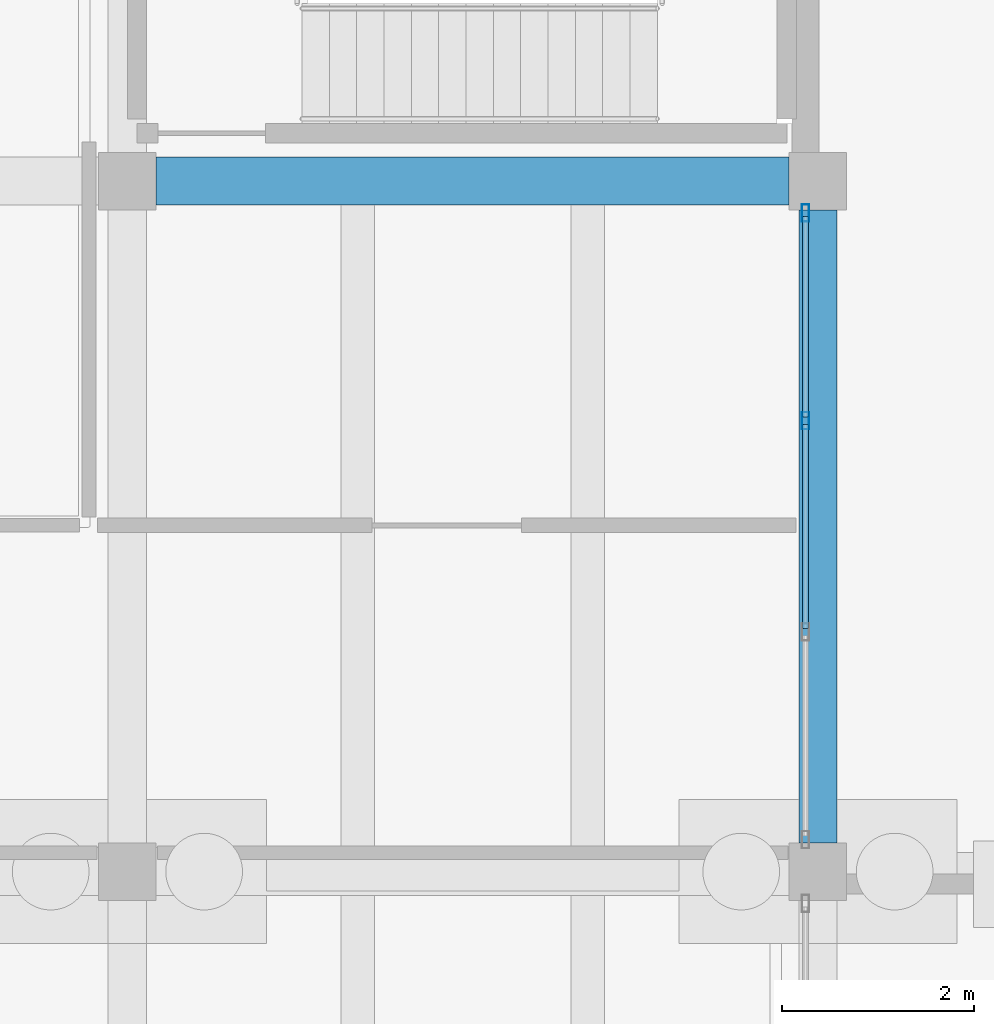
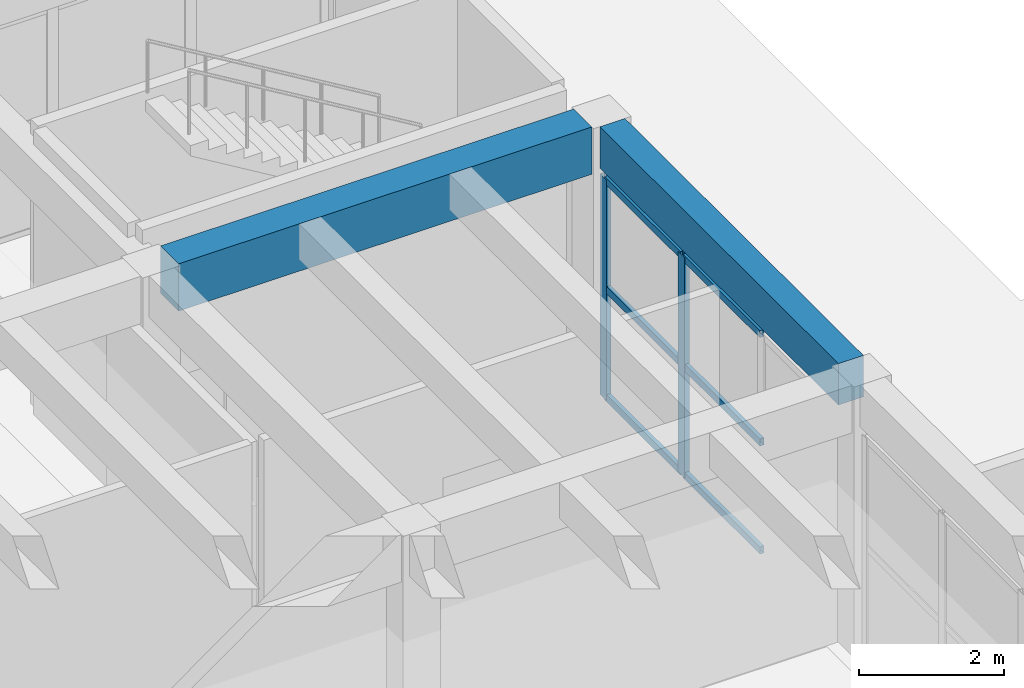
# One storey, part 89 of 155: 8 members, 2 beams, 1 element without a shape of its own.
"""IFC4 building model written with IfcOpenShell, lengths in metres."""

from ifc_helpers import new_model, si_unit, direction, frame, origin, origin_2d, place, context, subcontext, project, spatial, rectangle, hollow_rectangle, extrude, material, material_profile, profile_set, type_object, element, aggregate, save


model = new_model("IFC4")

# Units and contexts
model_context = context("Model", 3, precision=1e-05, world=origin(), true_north=direction((0.0, 1.0)))
body_context = subcontext(model_context, "Body", "Model", "MODEL_VIEW")
ifc_project = project(units=[si_unit("LENGTHUNIT", "METRE"), si_unit("AREAUNIT", "SQUARE_METRE"), si_unit("VOLUMEUNIT", "CUBIC_METRE"), si_unit("PLANEANGLEUNIT", "RADIAN"), si_unit("MASSUNIT", "GRAM", prefix="KILO")], contexts=[model_context])

# Site, building, storey
site_placement = place(None, origin())
site = spatial("IfcSite", under=ifc_project, at=site_placement, CompositionType="ELEMENT")
building_placement = place(site_placement, origin())
building = spatial("IfcBuilding", under=site, at=building_placement, Name="Bramvelor Terrace Health Centre", CompositionType="ELEMENT")
storey_placement = place(building_placement, origin())
storey = spatial("IfcBuildingStorey", under=building, at=storey_placement, Name="L01", CompositionType="ELEMENT", Elevation=0.0)

# Beams
ifc_material_1 = material(Name="Concrete C40/50", Category="concrete")
ifc_material_profile_1 = material_profile(ifc_material_1, rectangle(XDim=0.39990234375, YDim=0.699951171875, at=origin_2d()), Name="RC 400x700")
ifc_profile_set_1 = profile_set([ifc_material_profile_1], Name="Concrete C40/50")
beam_type_1 = type_object("IfcBeamType", Name="BM-RC-G700", PredefinedType="BEAM", material=ifc_profile_set_1)
beam_1_placement = place(storey_placement, frame((93.60009765625, 65.10009765625, 4.2099609375), z_axis=(0.0, 1.0, 0.0), x_axis=(-1.0, 0.0, 0.0)))
element("IfcBeam", 1, at=beam_1_placement, inside=storey, type_object=beam_type_1, Name="L01 Floor Girder", PredefinedType="BEAM", context=body_context, shape_type="SweptSolid", body=[
    extrude(rectangle(XDim=0.39990234375, YDim=0.699951171875, at=origin_2d()), origin(), (0.0, 0.0, 1.0), 6.599853515625),
])
ifc_material_2 = material(Name="Concrete C40/50", Category="concrete")
ifc_material_profile_2 = material_profile(ifc_material_2, rectangle(XDim=0.5, YDim=0.800048828125, at=origin_2d()), Name="RC 500x800")
ifc_profile_set_2 = profile_set([ifc_material_profile_2], Name="Concrete C40/50")
beam_type_2 = type_object("IfcBeamType", Name="BM-RC-G800", PredefinedType="BEAM", material=ifc_profile_set_2)
beam_2_placement = place(storey_placement, frame((86.699951171875, 72.0, 4.159912109375), z_axis=(1.0, 0.0, 0.0), x_axis=(0.0, 1.0, 0.0)))
element("IfcBeam", 2, at=beam_2_placement, inside=storey, type_object=beam_type_2, Name="L01 Floor Girder", PredefinedType="BEAM", context=body_context, shape_type="SweptSolid", body=[
    extrude(rectangle(XDim=0.5, YDim=0.800048828125, at=origin_2d()), origin(), (0.0, 0.0, 1.0), 6.60009765625),
])

# Curtain wall, members
ifc_material_3 = material(Name="Anodized aluminium and double low-E glass", Category="aluminium")
curtain_wall_type = type_object("IfcCurtainWallType", Name="CW-SYS-02", PredefinedType="NOTDEFINED", material=ifc_material_3)
curtain_wall_placement = place(storey_placement, origin())
curtain_wall = element("IfcCurtainWall", 3, at=curtain_wall_placement, inside=storey, type_object=curtain_wall_type, Name="L01 Unitized Curtain Wall 34", PredefinedType="NOTDEFINED")
ifc_material_4 = material(Name="Anodized aluminium 6063-T6", Category="aluminium")
ifc_material_profile_3 = material_profile(ifc_material_4, hollow_rectangle(XDim=0.074951171875, YDim=0.179931640625, WallThickness=0.00341796875, at=origin_2d()), Name="ALU-MUL 75x180x3.5")
ifc_profile_set_3 = profile_set([ifc_material_profile_3], Name="Anodized aluminium 6063-T6")
member_type_1 = type_object("IfcMemberType", Name="CW-MUL-65x180", PredefinedType="MULLION", material=ifc_profile_set_3)
member_1_placement = place(storey_placement, frame((93.469970703125, 71.66748046875, 0.0), z_axis=(0.0, 0.0, 1.0), x_axis=(1.0, 0.0, 0.0)))
member_1 = element("IfcMember", 4, at=member_1_placement, type_object=member_type_1, Name="CW-02 mullion 1", PredefinedType="MULLION", context=body_context, shape_type="SweptSolid", body=[
    extrude(hollow_rectangle(XDim=0.074951171875, YDim=0.179931640625, WallThickness=0.00341796875, at=origin_2d()), origin(), (0.0, 0.0, 1.0), 3.719970703125),
])
member_2_placement = place(storey_placement, frame((93.469970703125, 69.501708984375, 0.0), z_axis=(0.0, 0.0, 1.0), x_axis=(1.0, 0.0, 0.0)))
member_2 = element("IfcMember", 5, at=member_2_placement, type_object=member_type_1, Name="CW-02 mullion 2", PredefinedType="MULLION", context=body_context, shape_type="SweptSolid", body=[
    extrude(hollow_rectangle(XDim=0.074951171875, YDim=0.179931640625, WallThickness=0.00341796875, at=origin_2d()), origin(), (0.0, 0.0, 1.0), 3.719970703125),
])
ifc_material_5 = material(Name="Anodized aluminium 6063-T6", Category="aluminium")
ifc_material_profile_4 = material_profile(ifc_material_5, hollow_rectangle(XDim=0.06494140625, YDim=0.1201171875, WallThickness=0.0029296875, at=origin_2d()), Name="ALU-TRN 65x120x3.0")
ifc_profile_set_4 = profile_set([ifc_material_profile_4], Name="Anodized aluminium 6063-T6")
member_type_2 = type_object("IfcMemberType", Name="CW-TRN-65x150", PredefinedType="USERDEFINED", material=ifc_profile_set_4)
member_3_placement = place(storey_placement, frame((93.469970703125, 71.6298828125, 0.032470703125), z_axis=(0.0, -1.0, 0.0), x_axis=(1.0, 0.0, 0.0)))
member_3 = element("IfcMember", 6, at=member_3_placement, type_object=member_type_2, Name="CW-02 transom 1.1", ObjectType="TRANSOM", PredefinedType="USERDEFINED", context=body_context, shape_type="SweptSolid", body=[
    extrude(hollow_rectangle(XDim=0.06494140625, YDim=0.1201171875, WallThickness=0.0029296875, at=origin_2d()), origin(), (0.0, 0.0, 1.0), 2.0908203125),
])
member_4_placement = place(storey_placement, frame((93.469970703125, 71.6298828125, 1.860107421875), z_axis=(0.0, -1.0, 0.0), x_axis=(1.0, 0.0, 0.0)))
member_4 = element("IfcMember", 7, at=member_4_placement, type_object=member_type_2, Name="CW-02 transom 1.2", ObjectType="TRANSOM", PredefinedType="USERDEFINED", context=body_context, shape_type="SweptSolid", body=[
    extrude(hollow_rectangle(XDim=0.06494140625, YDim=0.1201171875, WallThickness=0.0029296875, at=origin_2d()), origin(), (0.0, 0.0, 1.0), 2.0908203125),
])
member_5_placement = place(storey_placement, frame((93.469970703125, 71.6298828125, 3.6875), z_axis=(0.0, -1.0, 0.0), x_axis=(1.0, 0.0, 0.0)))
member_5 = element("IfcMember", 8, at=member_5_placement, type_object=member_type_2, Name="CW-02 transom 1.3", ObjectType="TRANSOM", PredefinedType="USERDEFINED", context=body_context, shape_type="SweptSolid", body=[
    extrude(hollow_rectangle(XDim=0.06494140625, YDim=0.1201171875, WallThickness=0.0029296875, at=origin_2d()), origin(), (0.0, 0.0, 1.0), 2.0908203125),
])
member_6_placement = place(storey_placement, frame((93.469970703125, 69.464111328125, 0.032470703125), z_axis=(0.0, -1.0, 0.0), x_axis=(1.0, 0.0, 0.0)))
member_6 = element("IfcMember", 9, at=member_6_placement, type_object=member_type_2, Name="CW-02 transom 2.1", ObjectType="TRANSOM", PredefinedType="USERDEFINED", context=body_context, shape_type="SweptSolid", body=[
    extrude(hollow_rectangle(XDim=0.06494140625, YDim=0.1201171875, WallThickness=0.0029296875, at=origin_2d()), origin(), (0.0, 0.0, 1.0), 2.128173828125),
])
member_7_placement = place(storey_placement, frame((93.469970703125, 69.464111328125, 1.860107421875), z_axis=(0.0, -1.0, 0.0), x_axis=(1.0, 0.0, 0.0)))
member_7 = element("IfcMember", 10, at=member_7_placement, type_object=member_type_2, Name="CW-02 transom 2.2", ObjectType="TRANSOM", PredefinedType="USERDEFINED", context=body_context, shape_type="SweptSolid", body=[
    extrude(hollow_rectangle(XDim=0.06494140625, YDim=0.1201171875, WallThickness=0.0029296875, at=origin_2d()), origin(), (0.0, 0.0, 1.0), 2.128173828125),
])
member_8_placement = place(storey_placement, frame((93.469970703125, 69.464111328125, 3.6875), z_axis=(0.0, -1.0, 0.0), x_axis=(1.0, 0.0, 0.0)))
member_8 = element("IfcMember", 11, at=member_8_placement, type_object=member_type_2, Name="CW-02 transom 2.3", ObjectType="TRANSOM", PredefinedType="USERDEFINED", context=body_context, shape_type="SweptSolid", body=[
    extrude(hollow_rectangle(XDim=0.06494140625, YDim=0.1201171875, WallThickness=0.0029296875, at=origin_2d()), origin(), (0.0, 0.0, 1.0), 2.128173828125),
])
aggregate(curtain_wall, [member_1, member_2, member_3, member_4, member_5, member_6, member_7, member_8])

save(model, "model.ifc")
